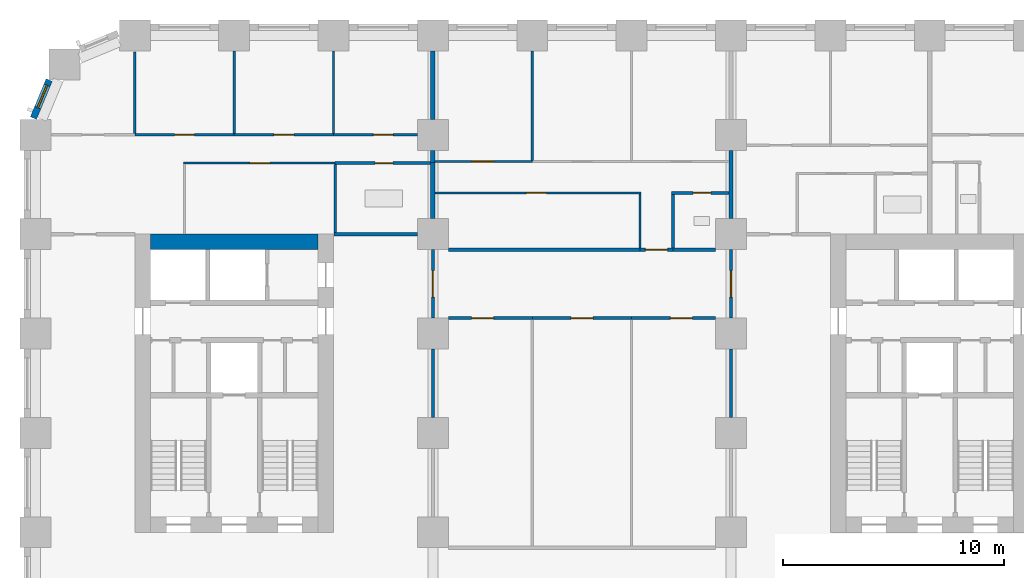
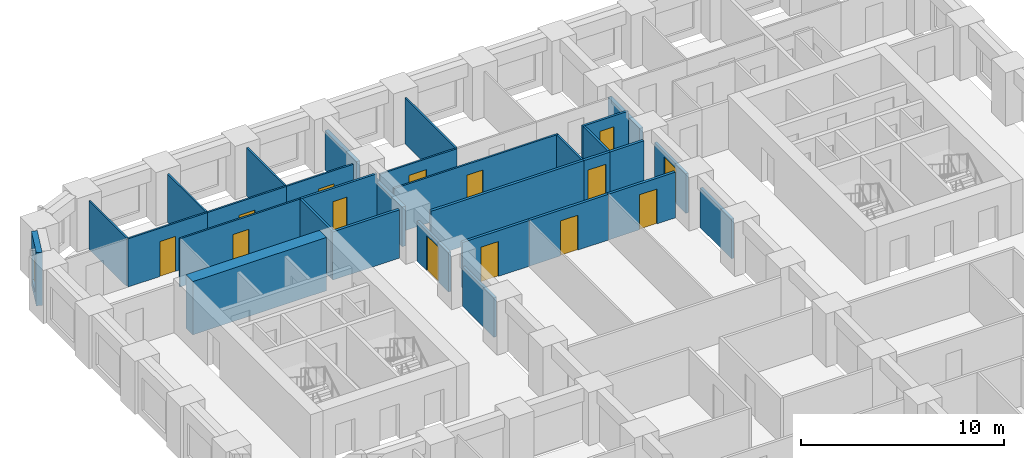
# One storey, part 7 of 13: 32 walls, 14 doors, 1 window, 15 openings.
"""IFC4 building model written with IfcOpenShell, lengths in metres."""

from ifc_helpers import new_model, si_unit, direction, frame, frame_2d, origin, place, context, subcontext, project, spatial, rectangle, extrude, material, layer, layer_set, type_object, element, fill, save


model = new_model("IFC4")

# Units and contexts
model_context = context("Model", 3, precision=1e-05, world=origin(), true_north=direction((0.0, 1.0)))
body_context = subcontext(model_context, "Body", "Model", "MODEL_VIEW")
ifc_project = project(units=[si_unit("LENGTHUNIT", "METRE"), si_unit("AREAUNIT", "SQUARE_METRE"), si_unit("VOLUMEUNIT", "CUBIC_METRE"), si_unit("PLANEANGLEUNIT", "RADIAN"), si_unit("MASSUNIT", "GRAM", prefix="KILO")], contexts=[model_context])

# Site, building, storey
site_placement = place(None, origin())
site = spatial("IfcSite", under=ifc_project, at=site_placement, CompositionType="ELEMENT")
building_placement = place(site_placement, origin())
building = spatial("IfcBuilding", under=site, at=building_placement, Name="Girih Gate Residences", CompositionType="ELEMENT")
storey_placement = place(building_placement, frame((0.0, 0.0, 43.199951171875)))
storey = spatial("IfcBuildingStorey", under=building, at=storey_placement, Name="L10", CompositionType="ELEMENT", Elevation=43.199951171875)

# Walls
ifc_material_1 = material(Name="Gypsum board on steel studs", Category="steel")
ifc_layer_1 = layer(ifc_material_1, 0.14990234375)
ifc_layer_set_1 = layer_set([ifc_layer_1], Name="Compartment wall 150 mm")
wall_type_1 = type_object("IfcWallType", Name="Compartment wall 150 mm", PredefinedType="PARTITIONING", material=ifc_layer_set_1)
wall_1_placement = place(storey_placement, frame((13.5107421875, 40.5, 0.0), z_axis=(0.0, 0.0, 1.0), x_axis=(1.0, 0.0, 0.0)))
element("IfcWall", 1, at=wall_1_placement, inside=storey, type_object=wall_type_1, Name="L10 partition", PredefinedType="PARTITIONING", context=body_context, shape_type="SweptSolid", body=[
    extrude(rectangle(XDim=3.789306640625, YDim=0.14990234375, at=frame_2d((1.89453125, 0.0))), origin(), (0.0, 0.0, 1.0), 2.900146484375),
])
wall_2_placement = place(storey_placement, frame((28.875, 39.800048828125, 0.0), z_axis=(0.0, 0.0, 1.0), x_axis=(1.0, 0.0, 0.0)))
element("IfcWall", 2, at=wall_2_placement, inside=storey, type_object=wall_type_1, Name="L10 partition", PredefinedType="PARTITIONING", context=body_context, shape_type="SweptSolid", body=[
    extrude(rectangle(XDim=1.925048828125, YDim=0.14990234375, at=frame_2d((0.96240234375, 0.0))), origin(), (0.0, 0.0, 1.0), 2.75),
])

# Wall, opening, door
wall_3_placement = place(storey_placement, frame((27.375, 39.800048828125, 0.0), z_axis=(0.0, 0.0, 1.0), x_axis=(1.0, 0.0, 0.0)))
wall_3 = element("IfcWall", 3, at=wall_3_placement, inside=storey, type_object=wall_type_1, Name="L10 partition", PredefinedType="PARTITIONING", context=body_context, shape_type="SweptSolid", body=[
    extrude(rectangle(XDim=1.5, YDim=0.14990234375, at=frame_2d((0.75, 0.0))), origin(), (0.0, 0.0, 1.0), 2.75),
])
opening_1_placement = place(wall_3_placement, frame((0.25, 0.0, 0.0)))
opening_1 = element("IfcOpeningElement", 4, at=opening_1_placement, cuts=wall_3, Name="Opening A10-043", PredefinedType="OPENING", context=body_context, shape_type="SweptSolid", body=[
    extrude(rectangle(XDim=1.0, YDim=2.10009765625, at=frame_2d((0.5, 1.050048828125))), frame((0.0, 0.0849609375, 0.0), z_axis=(0.0, -1.0, 0.0), x_axis=(1.0, 0.0, 0.0)), (0.0, 0.0, 1.0), 0.169921875),
])
ifc_material_2 = material(Name="Timber, fire-rated core", Category="wood")
door_type_1 = type_object("IfcDoorType", Name="Flat entrance door 1000x2100 FD30S", OperationType="NOTDEFINED", PredefinedType="DOOR", material=ifc_material_2)
door_1_placement = place(opening_1_placement, origin())
door_1 = element("IfcDoor", 5, at=door_1_placement, inside=storey, type_object=door_type_1, Name="Door A10-043", OperationType="SINGLE_SWING_RIGHT", OverallHeight=2.10009765625, OverallWidth=1.0, PredefinedType="DOOR", context=body_context, shape_type="SweptSolid", body=[
    extrude(rectangle(XDim=1.0, YDim=2.10009765625, at=frame_2d((0.5, 1.050048828125))), frame((0.0, 0.02490234375, 0.0), z_axis=(0.0, -1.0, 0.0), x_axis=(1.0, 0.0, 0.0)), (0.0, 0.0, 1.0), 0.050048828125),
])
fill(opening_1, door_1)

# Wall
wall_4_placement = place(storey_placement, frame((18.699951171875, 39.800048828125, 0.0), z_axis=(0.0, 0.0, 1.0), x_axis=(1.0, 0.0, 0.0)))
element("IfcWall", 6, at=wall_4_placement, inside=storey, type_object=wall_type_1, Name="L10 partition", PredefinedType="PARTITIONING", context=body_context, shape_type="SweptSolid", body=[
    extrude(rectangle(XDim=8.675048828125, YDim=0.14990234375, at=frame_2d((4.33740234375, 0.0))), origin(), (0.0, 0.0, 1.0), 2.75),
])

# Wall, opening, door
wall_5_placement = place(storey_placement, frame((22.5, 36.699951171875, 0.0), z_axis=(0.0, 0.0, 1.0), x_axis=(-1.0, 0.0, 0.0)))
wall_5 = element("IfcWall", 7, at=wall_5_placement, inside=storey, type_object=wall_type_1, Name="L10 partition", PredefinedType="PARTITIONING", context=body_context, shape_type="SweptSolid", body=[
    extrude(rectangle(XDim=3.800048828125, YDim=0.14990234375, at=frame_2d((1.89990234375, 0.0))), origin(), (0.0, 0.0, 1.0), 2.75),
])
opening_2_placement = place(wall_5_placement, frame((1.75, 0.0, 0.0)))
opening_2 = element("IfcOpeningElement", 8, at=opening_2_placement, cuts=wall_5, Name="Opening A10-044", PredefinedType="OPENING", context=body_context, shape_type="SweptSolid", body=[
    extrude(rectangle(XDim=1.0, YDim=2.10009765625, at=frame_2d((0.5, 1.050048828125))), frame((0.0, 0.0849609375, 0.0), z_axis=(0.0, -1.0, 0.0), x_axis=(1.0, 0.0, 0.0)), (0.0, 0.0, 1.0), 0.169921875),
])
door_type_2 = type_object("IfcDoorType", Name="Amenity room door 1000x2100 FD30S", OperationType="NOTDEFINED", PredefinedType="DOOR", material=ifc_material_2)
door_2_placement = place(opening_2_placement, origin())
door_2 = element("IfcDoor", 9, at=door_2_placement, inside=storey, type_object=door_type_2, Name="Door A10-044", OperationType="SINGLE_SWING_RIGHT", OverallHeight=2.10009765625, OverallWidth=1.0, PredefinedType="DOOR", context=body_context, shape_type="SweptSolid", body=[
    extrude(rectangle(XDim=1.0, YDim=2.10009765625, at=frame_2d((0.5, 1.050048828125))), frame((0.0, 0.02490234375, 0.0), z_axis=(0.0, -1.0, 0.0), x_axis=(1.0, 0.0, 0.0)), (0.0, 0.0, 1.0), 0.050048828125),
])
fill(opening_2, door_2)

wall_6_placement = place(storey_placement, frame((27.0, 36.699951171875, 0.0), z_axis=(0.0, 0.0, 1.0), x_axis=(-1.0, 0.0, 0.0)))
wall_6 = element("IfcWall", 10, at=wall_6_placement, inside=storey, type_object=wall_type_1, Name="L10 partition", PredefinedType="PARTITIONING", context=body_context, shape_type="SweptSolid", body=[
    extrude(rectangle(XDim=4.5, YDim=0.14990234375, at=frame_2d((2.25, 0.0))), origin(), (0.0, 0.0, 1.0), 2.75),
])
opening_3_placement = place(wall_6_placement, frame((1.75, 0.0, 0.0)))
opening_3 = element("IfcOpeningElement", 11, at=opening_3_placement, cuts=wall_6, Name="Opening A10-045", PredefinedType="OPENING", context=body_context, shape_type="SweptSolid", body=[
    extrude(rectangle(XDim=1.0, YDim=2.10009765625, at=frame_2d((0.5, 1.050048828125))), frame((0.0, 0.0849609375, 0.0), z_axis=(0.0, -1.0, 0.0), x_axis=(1.0, 0.0, 0.0)), (0.0, 0.0, 1.0), 0.169921875),
])
door_3_placement = place(opening_3_placement, origin())
door_3 = element("IfcDoor", 12, at=door_3_placement, inside=storey, type_object=door_type_2, Name="Door A10-045", OperationType="SINGLE_SWING_RIGHT", OverallHeight=2.10009765625, OverallWidth=1.0, PredefinedType="DOOR", context=body_context, shape_type="SweptSolid", body=[
    extrude(rectangle(XDim=1.0, YDim=2.10009765625, at=frame_2d((0.5, 1.050048828125))), frame((0.0, 0.02490234375, 0.0), z_axis=(0.0, -1.0, 0.0), x_axis=(1.0, 0.0, 0.0)), (0.0, 0.0, 1.0), 0.050048828125),
])
fill(opening_3, door_3)

wall_7_placement = place(storey_placement, frame((30.800048828125, 36.699951171875, 0.0), z_axis=(0.0, 0.0, 1.0), x_axis=(-1.0, 0.0, 0.0)))
wall_7 = element("IfcWall", 13, at=wall_7_placement, inside=storey, type_object=wall_type_1, Name="L10 partition", PredefinedType="PARTITIONING", context=body_context, shape_type="SweptSolid", body=[
    extrude(rectangle(XDim=3.800048828125, YDim=0.14990234375, at=frame_2d((1.89990234375, 0.0))), origin(), (0.0, 0.0, 1.0), 2.75),
])
opening_4_placement = place(wall_7_placement, frame((1.050048828125, 0.0, 0.0)))
opening_4 = element("IfcOpeningElement", 14, at=opening_4_placement, cuts=wall_7, Name="Opening A10-046", PredefinedType="OPENING", context=body_context, shape_type="SweptSolid", body=[
    extrude(rectangle(XDim=1.0, YDim=2.10009765625, at=frame_2d((0.5, 1.050048828125))), frame((0.0, 0.0849609375, 0.0), z_axis=(0.0, -1.0, 0.0), x_axis=(1.0, 0.0, 0.0)), (0.0, 0.0, 1.0), 0.169921875),
])
door_4_placement = place(opening_4_placement, origin())
door_4 = element("IfcDoor", 15, at=door_4_placement, inside=storey, type_object=door_type_2, Name="Door A10-046", OperationType="SINGLE_SWING_LEFT", OverallHeight=2.10009765625, OverallWidth=1.0, PredefinedType="DOOR", context=body_context, shape_type="SweptSolid", body=[
    extrude(rectangle(XDim=1.0, YDim=2.10009765625, at=frame_2d((0.5, 1.050048828125))), frame((0.0, 0.02490234375, 0.0), z_axis=(0.0, -1.0, 0.0), x_axis=(1.0, 0.0, 0.0)), (0.0, 0.0, 1.0), 0.050048828125),
])
fill(opening_4, door_4)

wall_8_placement = place(storey_placement, frame((31.5, 36.699951171875, 0.0), z_axis=(0.0, 0.0, 1.0), x_axis=(0.0, 1.0, 0.0)))
wall_8 = element("IfcWall", 16, at=wall_8_placement, inside=storey, type_object=wall_type_1, Name="L10 partition", PredefinedType="PARTITIONING", context=body_context, shape_type="SweptSolid", body=[
    extrude(rectangle(XDim=3.10009765625, YDim=0.14990234375, at=frame_2d((1.550048828125, 0.0))), origin(), (0.0, 0.0, 1.0), 2.380126953125),
])
opening_5_placement = place(wall_8_placement, frame((0.949951171875, 0.0, 0.0)))
opening_5 = element("IfcOpeningElement", 17, at=opening_5_placement, cuts=wall_8, Name="Opening A10-047", PredefinedType="OPENING", context=body_context, shape_type="SweptSolid", body=[
    extrude(rectangle(XDim=1.199951171875, YDim=2.10009765625, at=frame_2d((0.60009765625, 1.050048828125))), frame((0.0, 0.0849609375, 0.0), z_axis=(0.0, -1.0, 0.0), x_axis=(1.0, 0.0, 0.0)), (0.0, 0.0, 1.0), 0.169921875),
])
door_type_3 = type_object("IfcDoorType", Name="Corridor fire door 1200x2100 FD30S", OperationType="NOTDEFINED", PredefinedType="DOOR", material=ifc_material_2)
door_5_placement = place(opening_5_placement, origin())
door_5 = element("IfcDoor", 18, at=door_5_placement, inside=storey, type_object=door_type_3, Name="Door A10-047", OperationType="SINGLE_SWING_LEFT", OverallHeight=2.10009765625, OverallWidth=1.199951171875, PredefinedType="DOOR", context=body_context, shape_type="SweptSolid", body=[
    extrude(rectangle(XDim=1.199951171875, YDim=2.10009765625, at=frame_2d((0.60009765625, 1.050048828125))), frame((0.0, 0.02490234375, 0.0), z_axis=(0.0, -1.0, 0.0), x_axis=(1.0, 0.0, 0.0)), (0.0, 0.0, 1.0), 0.050048828125),
])
fill(opening_5, door_5)

wall_9_placement = place(storey_placement, frame((18.0, 39.800048828125, 0.0), z_axis=(0.0, 0.0, 1.0), x_axis=(0.0, -1.0, 0.0)))
wall_9 = element("IfcWall", 19, at=wall_9_placement, inside=storey, type_object=wall_type_1, Name="L10 partition", PredefinedType="PARTITIONING", context=body_context, shape_type="SweptSolid", body=[
    extrude(rectangle(XDim=3.10009765625, YDim=0.14990234375, at=frame_2d((1.550048828125, 0.0))), origin(), (0.0, 0.0, 1.0), 2.380126953125),
])
opening_6_placement = place(wall_9_placement, frame((0.949951171875, 0.0, 0.0)))
opening_6 = element("IfcOpeningElement", 20, at=opening_6_placement, cuts=wall_9, Name="Opening A10-048", PredefinedType="OPENING", context=body_context, shape_type="SweptSolid", body=[
    extrude(rectangle(XDim=1.199951171875, YDim=2.10009765625, at=frame_2d((0.60009765625, 1.050048828125))), frame((0.0, 0.0849609375, 0.0), z_axis=(0.0, -1.0, 0.0), x_axis=(1.0, 0.0, 0.0)), (0.0, 0.0, 1.0), 0.169921875),
])
door_6_placement = place(opening_6_placement, origin())
door_6 = element("IfcDoor", 21, at=door_6_placement, inside=storey, type_object=door_type_3, Name="Door A10-048", OperationType="SINGLE_SWING_LEFT", OverallHeight=2.10009765625, OverallWidth=1.199951171875, PredefinedType="DOOR", context=body_context, shape_type="SweptSolid", body=[
    extrude(rectangle(XDim=1.199951171875, YDim=2.10009765625, at=frame_2d((0.60009765625, 1.050048828125))), frame((0.0, 0.02490234375, 0.0), z_axis=(0.0, -1.0, 0.0), x_axis=(1.0, 0.0, 0.0)), (0.0, 0.0, 1.0), 0.050048828125),
])
fill(opening_6, door_6)

# Walls
for number, where, z_axis, x_axis, name in (
    (22, (18.0, 32.199951171875, 0.0), (0.0, 0.0, 1.0), (0.0, 1.0, 0.0), "L10 partition"),
    (23, (31.5, 32.199951171875, 0.0), (0.0, 0.0, 1.0), (0.0, 1.0, 0.0), "L10 partition"),
):
    element("IfcWall", number, at=place(storey_placement, frame(where, z_axis=z_axis, x_axis=x_axis)), inside=storey, type_object=wall_type_1, Name=name, PredefinedType="PARTITIONING", context=body_context, shape_type="SweptSolid", body=[
        extrude(rectangle(XDim=3.10009765625, YDim=0.14990234375, at=frame_2d((1.550048828125, 0.0))), origin(), (0.0, 0.0, 1.0), 2.380126953125),
    ])
ifc_material_3 = material(Name="Concrete C60/75", Category="concrete")
ifc_layer_2 = layer(ifc_material_3, 0.699951171875)
ifc_layer_set_2 = layer_set([ifc_layer_2], Name="Core wall RC 700 Concrete C60/75")
wall_type_2 = type_object("IfcWallType", Name="Core wall RC 700 Concrete C60/75", PredefinedType="SOLIDWALL", material=ifc_layer_set_2)
wall_10_placement = place(storey_placement, frame((5.199951171875, 40.14990234375, 0.0), z_axis=(0.0, 0.0, 1.0), x_axis=(1.0, 0.0, 0.0)))
element("IfcWall", 24, at=wall_10_placement, inside=storey, type_object=wall_type_2, Name="Core wall W-N L10", PredefinedType="SOLIDWALL", context=body_context, shape_type="SweptSolid", body=[
    extrude(rectangle(XDim=7.60009765625, YDim=0.699951171875, at=frame_2d((3.800048828125, 0.0))), origin(), (0.0, 0.0, 1.0), 3.199951171875),
])
ifc_layer_3 = layer(ifc_material_1, 0.10009765625)
ifc_layer_set_3 = layer_set([ifc_layer_3], Name="Partition 100 mm")
wall_type_3 = type_object("IfcWallType", Name="Partition 100 mm", PredefinedType="PARTITIONING", material=ifc_layer_set_3)
wall_11_placement = place(storey_placement, frame((9.0, 45.050048828125, 0.0), z_axis=(0.0, 0.0, 1.0), x_axis=(0.0, 1.0, 0.0)))
element("IfcWall", 25, at=wall_11_placement, inside=storey, type_object=wall_type_3, Name="L10 partition", PredefinedType="PARTITIONING", context=body_context, shape_type="SweptSolid", body=[
    extrude(rectangle(XDim=3.75, YDim=0.10009765625, at=frame_2d((1.875, 0.0))), origin(), (0.0, 0.0, 1.0), 2.900146484375),
])

# Wall, opening, door
wall_12_placement = place(storey_placement, frame((4.5, 45.0, 0.0), z_axis=(0.0, 0.0, 1.0), x_axis=(1.0, 0.0, 0.0)))
wall_12 = element("IfcWall", 26, at=wall_12_placement, inside=storey, type_object=wall_type_3, Name="L10 partition", PredefinedType="PARTITIONING", context=body_context, shape_type="SweptSolid", body=[
    extrude(rectangle(XDim=4.5, YDim=0.10009765625, at=frame_2d((2.25, 0.0))), origin(), (0.0, 0.0, 1.0), 2.900146484375),
])
opening_7_placement = place(wall_12_placement, frame((1.800048828125, 0.0, 0.0)))
opening_7 = element("IfcOpeningElement", 27, at=opening_7_placement, cuts=wall_12, Name="Opening A10-012", PredefinedType="OPENING", context=body_context, shape_type="SweptSolid", body=[
    extrude(rectangle(XDim=0.89990234375, YDim=2.10009765625, at=frame_2d((0.449951171875, 1.050048828125))), frame((0.0, 0.06005859375, 0.0), z_axis=(0.0, -1.0, 0.0), x_axis=(1.0, 0.0, 0.0)), (0.0, 0.0, 1.0), 0.1201171875),
])
ifc_material_4 = material(Name="Timber", Category="wood")
door_type_4 = type_object("IfcDoorType", Name="Bedroom door 900x2100", OperationType="NOTDEFINED", PredefinedType="DOOR", material=ifc_material_4)
door_7_placement = place(opening_7_placement, origin())
door_7 = element("IfcDoor", 28, at=door_7_placement, inside=storey, type_object=door_type_4, Name="Door A10-012", OperationType="SINGLE_SWING_RIGHT", OverallHeight=2.10009765625, OverallWidth=0.89990234375, PredefinedType="DOOR", context=body_context, shape_type="SweptSolid", body=[
    extrude(rectangle(XDim=0.89990234375, YDim=2.10009765625, at=frame_2d((0.449951171875, 1.050048828125))), frame((0.0, 0.02490234375, 0.0), z_axis=(0.0, -1.0, 0.0), x_axis=(1.0, 0.0, 0.0)), (0.0, 0.0, 1.0), 0.050048828125),
])
fill(opening_7, door_7)

# Walls
wall_13_placement = place(storey_placement, frame((4.5, 45.050048828125, 0.0), z_axis=(0.0, 0.0, 1.0), x_axis=(0.0, 1.0, 0.0)))
element("IfcWall", 29, at=wall_13_placement, inside=storey, type_object=wall_type_3, Name="L10 partition", PredefinedType="PARTITIONING", context=body_context, shape_type="SweptSolid", body=[
    extrude(rectangle(XDim=3.6923828125, YDim=0.10009765625, at=frame_2d((1.84619140625, 0.0))), origin(), (0.0, 0.0, 1.0), 2.900146484375),
])
wall_14_placement = place(storey_placement, frame((13.5, 45.050048828125, 0.0), z_axis=(0.0, 0.0, 1.0), x_axis=(0.0, 1.0, 0.0)))
element("IfcWall", 30, at=wall_14_placement, inside=storey, type_object=wall_type_3, Name="L10 partition", PredefinedType="PARTITIONING", context=body_context, shape_type="SweptSolid", body=[
    extrude(rectangle(XDim=3.75, YDim=0.10009765625, at=frame_2d((1.875, 0.0))), origin(), (0.0, 0.0, 1.0), 2.900146484375),
])

# Wall, opening, door
wall_15_placement = place(storey_placement, frame((9.0, 45.0, 0.0), z_axis=(0.0, 0.0, 1.0), x_axis=(1.0, 0.0, 0.0)))
wall_15 = element("IfcWall", 31, at=wall_15_placement, inside=storey, type_object=wall_type_3, Name="L10 partition", PredefinedType="PARTITIONING", context=body_context, shape_type="SweptSolid", body=[
    extrude(rectangle(XDim=4.5, YDim=0.10009765625, at=frame_2d((2.25, 0.0))), origin(), (0.0, 0.0, 1.0), 2.900146484375),
])
opening_8_placement = place(wall_15_placement, frame((1.800048828125, 0.0, 0.0)))
opening_8 = element("IfcOpeningElement", 32, at=opening_8_placement, cuts=wall_15, Name="Opening A10-013", PredefinedType="OPENING", context=body_context, shape_type="SweptSolid", body=[
    extrude(rectangle(XDim=0.89990234375, YDim=2.10009765625, at=frame_2d((0.449951171875, 1.050048828125))), frame((0.0, 0.06005859375, 0.0), z_axis=(0.0, -1.0, 0.0), x_axis=(1.0, 0.0, 0.0)), (0.0, 0.0, 1.0), 0.1201171875),
])
door_8_placement = place(opening_8_placement, origin())
door_8 = element("IfcDoor", 33, at=door_8_placement, inside=storey, type_object=door_type_4, Name="Door A10-013", OperationType="SINGLE_SWING_LEFT", OverallHeight=2.10009765625, OverallWidth=0.89990234375, PredefinedType="DOOR", context=body_context, shape_type="SweptSolid", body=[
    extrude(rectangle(XDim=0.89990234375, YDim=2.10009765625, at=frame_2d((0.449951171875, 1.050048828125))), frame((0.0, 0.02490234375, 0.0), z_axis=(0.0, -1.0, 0.0), x_axis=(1.0, 0.0, 0.0)), (0.0, 0.0, 1.0), 0.050048828125),
])
fill(opening_8, door_8)

wall_16_placement = place(storey_placement, frame((13.5, 45.0, 0.0), z_axis=(0.0, 0.0, 1.0), x_axis=(1.0, 0.0, 0.0)))
wall_16 = element("IfcWall", 34, at=wall_16_placement, inside=storey, type_object=wall_type_3, Name="L10 partition", PredefinedType="PARTITIONING", context=body_context, shape_type="SweptSolid", body=[
    extrude(rectangle(XDim=3.800048828125, YDim=0.10009765625, at=frame_2d((1.89990234375, 0.0))), origin(), (0.0, 0.0, 1.0), 2.900146484375),
])
opening_9_placement = place(wall_16_placement, frame((1.800048828125, 0.0, 0.0)))
opening_9 = element("IfcOpeningElement", 35, at=opening_9_placement, cuts=wall_16, Name="Opening A10-014", PredefinedType="OPENING", context=body_context, shape_type="SweptSolid", body=[
    extrude(rectangle(XDim=0.89990234375, YDim=2.10009765625, at=frame_2d((0.449951171875, 1.050048828125))), frame((0.0, 0.06005859375, 0.0), z_axis=(0.0, -1.0, 0.0), x_axis=(1.0, 0.0, 0.0)), (0.0, 0.0, 1.0), 0.1201171875),
])
door_9_placement = place(opening_9_placement, origin())
door_9 = element("IfcDoor", 36, at=door_9_placement, inside=storey, type_object=door_type_4, Name="Door A10-014", OperationType="SINGLE_SWING_RIGHT", OverallHeight=2.10009765625, OverallWidth=0.89990234375, PredefinedType="DOOR", context=body_context, shape_type="SweptSolid", body=[
    extrude(rectangle(XDim=0.89990234375, YDim=2.10009765625, at=frame_2d((0.449951171875, 1.050048828125))), frame((0.0, 0.02490234375, 0.0), z_axis=(0.0, -1.0, 0.0), x_axis=(1.0, 0.0, 0.0)), (0.0, 0.0, 1.0), 0.050048828125),
])
fill(opening_9, door_9)

wall_17_placement = place(storey_placement, frame((13.5732421875, 43.719970703125, 0.0), z_axis=(0.0, 0.0, 1.0), x_axis=(-1.0, 0.0, 0.0)))
wall_17 = element("IfcWall", 37, at=wall_17_placement, inside=storey, type_object=wall_type_3, Name="L10 partition", PredefinedType="PARTITIONING", context=body_context, shape_type="SweptSolid", body=[
    extrude(rectangle(XDim=6.873291015625, YDim=0.10009765625, at=frame_2d((3.4365234375, 0.0))), origin(), (0.0, 0.0, 1.0), 2.900146484375),
])
opening_10_placement = place(wall_17_placement, frame((2.961669921875, 0.0, 0.0)))
opening_10 = element("IfcOpeningElement", 38, at=opening_10_placement, cuts=wall_17, Name="Opening A10-015", PredefinedType="OPENING", context=body_context, shape_type="SweptSolid", body=[
    extrude(rectangle(XDim=0.89990234375, YDim=2.10009765625, at=frame_2d((0.449951171875, 1.050048828125))), frame((0.0, 0.06005859375, 0.0), z_axis=(0.0, -1.0, 0.0), x_axis=(1.0, 0.0, 0.0)), (0.0, 0.0, 1.0), 0.1201171875),
])
door_type_5 = type_object("IfcDoorType", Name="Kitchen door 900x2100", OperationType="NOTDEFINED", PredefinedType="DOOR", material=ifc_material_4)
door_10_placement = place(opening_10_placement, origin())
door_10 = element("IfcDoor", 39, at=door_10_placement, inside=storey, type_object=door_type_5, Name="Door A10-015", OperationType="SINGLE_SWING_LEFT", OverallHeight=2.10009765625, OverallWidth=0.89990234375, PredefinedType="DOOR", context=body_context, shape_type="SweptSolid", body=[
    extrude(rectangle(XDim=0.89990234375, YDim=2.10009765625, at=frame_2d((0.449951171875, 1.050048828125))), frame((0.0, 0.02490234375, 0.0), z_axis=(0.0, -1.0, 0.0), x_axis=(1.0, 0.0, 0.0)), (0.0, 0.0, 1.0), 0.050048828125),
])
fill(opening_10, door_10)

# Walls
wall_18_placement = place(storey_placement, frame((22.5, 43.840087890625, 0.0), z_axis=(0.0, 0.0, 1.0), x_axis=(0.0, 1.0, 0.0)))
element("IfcWall", 40, at=wall_18_placement, inside=storey, type_object=wall_type_3, Name="L10 partition", PredefinedType="PARTITIONING", context=body_context, shape_type="SweptSolid", body=[
    extrude(rectangle(XDim=4.9599609375, YDim=0.10009765625, at=frame_2d((2.47998046875, 0.0))), origin(), (0.0, 0.0, 1.0), 2.75),
])
wall_19_placement = place(storey_placement, frame((27.375, 39.875, 0.0), z_axis=(0.0, 0.0, 1.0), x_axis=(0.0, 1.0, 0.0)))
element("IfcWall", 41, at=wall_19_placement, inside=storey, type_object=wall_type_3, Name="L10 partition", PredefinedType="PARTITIONING", context=body_context, shape_type="SweptSolid", body=[
    extrude(rectangle(XDim=2.445068359375, YDim=0.10009765625, at=frame_2d((1.22265625, 0.0))), origin(), (0.0, 0.0, 1.0), 2.75),
])

# Wall, opening, door
wall_20_placement = place(storey_placement, frame((27.425048828125, 42.3701171875, 0.0), z_axis=(0.0, 0.0, 1.0), x_axis=(-1.0, 0.0, 0.0)))
wall_20 = element("IfcWall", 42, at=wall_20_placement, inside=storey, type_object=wall_type_3, Name="L10 partition", PredefinedType="PARTITIONING", context=body_context, shape_type="SweptSolid", body=[
    extrude(rectangle(XDim=9.324951171875, YDim=0.10009765625, at=frame_2d((4.66259765625, 0.0))), origin(), (0.0, 0.0, 1.0), 2.75),
])
opening_11_placement = place(wall_20_placement, frame((4.28759765625, 0.0, 0.0)))
opening_11 = element("IfcOpeningElement", 43, at=opening_11_placement, cuts=wall_20, Name="Opening A10-041", PredefinedType="OPENING", context=body_context, shape_type="SweptSolid", body=[
    extrude(rectangle(XDim=0.89990234375, YDim=2.10009765625, at=frame_2d((0.449951171875, 1.050048828125))), frame((0.0, 0.06005859375, 0.0), z_axis=(0.0, -1.0, 0.0), x_axis=(1.0, 0.0, 0.0)), (0.0, 0.0, 1.0), 0.1201171875),
])
door_11_placement = place(opening_11_placement, origin())
door_11 = element("IfcDoor", 44, at=door_11_placement, inside=storey, type_object=door_type_5, Name="Door A10-041", OperationType="SINGLE_SWING_RIGHT", OverallHeight=2.10009765625, OverallWidth=0.89990234375, PredefinedType="DOOR", context=body_context, shape_type="SweptSolid", body=[
    extrude(rectangle(XDim=0.89990234375, YDim=2.10009765625, at=frame_2d((0.449951171875, 1.050048828125))), frame((0.0, 0.02490234375, 0.0), z_axis=(0.0, -1.0, 0.0), x_axis=(1.0, 0.0, 0.0)), (0.0, 0.0, 1.0), 0.050048828125),
])
fill(opening_11, door_11)

wall_21_placement = place(storey_placement, frame((18.10009765625, 43.7900390625, 0.0), z_axis=(0.0, 0.0, 1.0), x_axis=(1.0, 0.0, 0.0)))
wall_21 = element("IfcWall", 45, at=wall_21_placement, inside=storey, type_object=wall_type_3, Name="L10 partition", PredefinedType="PARTITIONING", context=body_context, shape_type="SweptSolid", body=[
    extrude(rectangle(XDim=4.39990234375, YDim=0.10009765625, at=frame_2d((2.199951171875, 0.0))), origin(), (0.0, 0.0, 1.0), 2.75),
])
opening_12_placement = place(wall_21_placement, frame((1.64990234375, 0.0, 0.0)))
opening_12 = element("IfcOpeningElement", 46, at=opening_12_placement, cuts=wall_21, Name="Opening A10-042", PredefinedType="OPENING", context=body_context, shape_type="SweptSolid", body=[
    extrude(rectangle(XDim=1.0, YDim=2.10009765625, at=frame_2d((0.5, 1.050048828125))), frame((0.0, 0.06005859375, 0.0), z_axis=(0.0, -1.0, 0.0), x_axis=(1.0, 0.0, 0.0)), (0.0, 0.0, 1.0), 0.1201171875),
])
door_type_6 = type_object("IfcDoorType", Name="Living room door 1000x2100", OperationType="NOTDEFINED", PredefinedType="DOOR", material=ifc_material_4)
door_12_placement = place(opening_12_placement, origin())
door_12 = element("IfcDoor", 47, at=door_12_placement, inside=storey, type_object=door_type_6, Name="Door A10-042", OperationType="SINGLE_SWING_LEFT", OverallHeight=2.10009765625, OverallWidth=1.0, PredefinedType="DOOR", context=body_context, shape_type="SweptSolid", body=[
    extrude(rectangle(XDim=1.0, YDim=2.10009765625, at=frame_2d((0.5, 1.050048828125))), frame((0.0, 0.02490234375, 0.0), z_axis=(0.0, -1.0, 0.0), x_axis=(1.0, 0.0, 0.0)), (0.0, 0.0, 1.0), 0.050048828125),
])
fill(opening_12, door_12)

# Walls
ifc_layer_4 = layer(ifc_material_1, 0.199951171875)
ifc_layer_set_4 = layer_set([ifc_layer_4], Name="Party wall 200 mm")
wall_type_4 = type_object("IfcWallType", Name="Party wall 200 mm", PredefinedType="PARTITIONING", material=ifc_layer_set_4)
wall_22_placement = place(storey_placement, frame((18.0, 41.199951171875, 0.0), z_axis=(0.0, 0.0, 1.0), x_axis=(0.0, 1.0, 0.0)))
element("IfcWall", 48, at=wall_22_placement, inside=storey, type_object=wall_type_4, Name="L10 partition", PredefinedType="PARTITIONING", context=body_context, shape_type="SweptSolid", body=[
    extrude(rectangle(XDim=2.58251953125, YDim=0.199951171875, at=frame_2d((1.291259765625, 0.0))), origin(), (0.0, 0.0, 1.0), 2.380126953125),
])
wall_23_placement = place(storey_placement, frame((18.0, 45.699951171875, 0.0), z_axis=(0.0, 0.0, 1.0), x_axis=(0.0, 1.0, 0.0)))
element("IfcWall", 49, at=wall_23_placement, inside=storey, type_object=wall_type_4, Name="L10 partition", PredefinedType="PARTITIONING", context=body_context, shape_type="SweptSolid", body=[
    extrude(rectangle(XDim=3.10009765625, YDim=0.199951171875, at=frame_2d((1.550048828125, 0.0))), origin(), (0.0, 0.0, 1.0), 2.380126953125),
])
wall_24_placement = place(storey_placement, frame((18.0, 43.739990234375, 0.0), z_axis=(0.0, 0.0, 1.0), x_axis=(0.0, 1.0, 0.0)))
element("IfcWall", 50, at=wall_24_placement, inside=storey, type_object=wall_type_4, Name="L10 partition", PredefinedType="PARTITIONING", context=body_context, shape_type="SweptSolid", body=[
    extrude(rectangle(XDim=0.56005859375, YDim=0.199951171875, at=frame_2d((0.280029296875, 0.0))), origin(), (0.0, 0.0, 1.0), 2.380126953125),
])
wall_25_placement = place(storey_placement, frame((31.5, 41.199951171875, 0.0), z_axis=(0.0, 0.0, 1.0), x_axis=(0.0, 1.0, 0.0)))
element("IfcWall", 51, at=wall_25_placement, inside=storey, type_object=wall_type_4, Name="L10 partition", PredefinedType="PARTITIONING", context=body_context, shape_type="SweptSolid", body=[
    extrude(rectangle(XDim=3.10009765625, YDim=0.199951171875, at=frame_2d((1.550048828125, 0.0))), origin(), (0.0, 0.0, 1.0), 2.380126953125),
])

# Wall, opening, window
ifc_material_5 = material(Name="Precast concrete C50/60", Category="concrete")
ifc_layer_5 = layer(ifc_material_5, 0.080078125, Name="Outer leaf")
ifc_material_6 = material(Name="Rigid PIR insulation")
ifc_layer_6 = layer(ifc_material_6, 0.14990234375, Name="Insulation")
ifc_material_7 = material(Name="Precast concrete C40/50", Category="concrete")
ifc_layer_7 = layer(ifc_material_7, 0.070068359375, Name="Inner leaf")
ifc_layer_set_5 = layer_set([ifc_layer_5, ifc_layer_6, ifc_layer_7], Name="Precast concrete C50/60 external wall 300")
wall_type_5 = type_object("IfcWallType", Name="Precast concrete C50/60 external wall 300", PredefinedType="SOLIDWALL", material=ifc_layer_set_5)
wall_26_placement = place(storey_placement, frame((-0.09228515625, 45.75732421875, 0.0), z_axis=(0.0, 0.0, 1.0), x_axis=(0.382737135771, 0.923857286003, 0.0)))
wall_26 = element("IfcWall", 52, at=wall_26_placement, inside=storey, type_object=wall_type_5, Name="External wall NW0013_0482.0", PredefinedType="SOLIDWALL", context=body_context, shape_type="SweptSolid", body=[
    extrude(rectangle(XDim=1.865234375, YDim=0.300048828125, at=frame_2d((0.9326171875, 0.0))), origin(), (0.0, 0.0, 1.0), 3.199951171875),
])
opening_13_placement = place(wall_26_placement, frame((0.507568359375, 0.0, 0.449951171875)))
opening_13 = element("IfcOpeningElement", 53, at=opening_13_placement, cuts=wall_26, Name="Opening W-2C", PredefinedType="OPENING", context=body_context, shape_type="SweptSolid", body=[
    extrude(rectangle(XDim=1.10009765625, YDim=1.949951171875, at=frame_2d((0.550048828125, 0.97509765625))), frame((0.0, 0.159912109375, 0.0), z_axis=(0.0, -1.0, 0.0), x_axis=(1.0, 0.0, 0.0)), (0.0, 0.0, 1.0), 0.320068359375),
])
ifc_material_8 = material(Name="Double glazing in aluminium frame", Category="aluminium")
window_type = type_object("IfcWindowType", Name="Window W-2C 1100x1950", PartitioningType="SINGLE_PANEL", PredefinedType="WINDOW", material=ifc_material_8)
window_placement = place(opening_13_placement, origin())
window = element("IfcWindow", 54, at=window_placement, inside=storey, type_object=window_type, Name="Window W-2C NW0013_0482.0", OverallHeight=1.949951171875, OverallWidth=1.10009765625, PartitioningType="SINGLE_PANEL", PredefinedType="WINDOW", context=body_context, shape_type="SweptSolid", body=[
    extrude(rectangle(XDim=1.10009765625, YDim=1.949951171875, at=frame_2d((0.550048828125, 0.97509765625))), frame((0.0, 0.030029296875, 0.0), z_axis=(0.0, -1.0, 0.0), x_axis=(1.0, 0.0, 0.0)), (0.0, 0.0, 1.0), 0.06005859375),
])
fill(opening_13, window)

# Wall, opening, door
ifc_layer_8 = layer(ifc_material_1, 0.125)
ifc_layer_set_6 = layer_set([ifc_layer_8], Name="Wet room wall 125 mm")
wall_type_6 = type_object("IfcWallType", Name="Wet room wall 125 mm", PredefinedType="PARTITIONING", material=ifc_layer_set_6)
wall_27_placement = place(storey_placement, frame((17.89990234375, 43.719970703125, 0.0), z_axis=(0.0, 0.0, 1.0), x_axis=(-1.0, 0.0, 0.0)))
wall_27 = element("IfcWall", 55, at=wall_27_placement, inside=storey, type_object=wall_type_6, Name="L10 partition", PredefinedType="PARTITIONING", context=body_context, shape_type="SweptSolid", body=[
    extrude(rectangle(XDim=4.32666015625, YDim=0.125, at=frame_2d((2.163330078125, 0.0))), origin(), (0.0, 0.0, 1.0), 2.900146484375),
])
opening_14_placement = place(wall_27_placement, frame((1.71337890625, 0.0, 0.0)))
opening_14 = element("IfcOpeningElement", 56, at=opening_14_placement, cuts=wall_27, Name="Opening A10-011", PredefinedType="OPENING", context=body_context, shape_type="SweptSolid", body=[
    extrude(rectangle(XDim=0.800048828125, YDim=2.10009765625, at=frame_2d((0.39990234375, 1.050048828125))), frame((0.0, 0.072509765625, 0.0), z_axis=(0.0, -1.0, 0.0), x_axis=(1.0, 0.0, 0.0)), (0.0, 0.0, 1.0), 0.14501953125),
])
door_type_7 = type_object("IfcDoorType", Name="Bathroom door 800x2100", OperationType="NOTDEFINED", PredefinedType="DOOR", material=ifc_material_4)
door_13_placement = place(opening_14_placement, origin())
door_13 = element("IfcDoor", 57, at=door_13_placement, inside=storey, type_object=door_type_7, Name="Door A10-011", OperationType="SINGLE_SWING_LEFT", OverallHeight=2.10009765625, OverallWidth=0.800048828125, PredefinedType="DOOR", context=body_context, shape_type="SweptSolid", body=[
    extrude(rectangle(XDim=0.800048828125, YDim=2.10009765625, at=frame_2d((0.39990234375, 1.050048828125))), frame((0.0, 0.02490234375, 0.0), z_axis=(0.0, -1.0, 0.0), x_axis=(1.0, 0.0, 0.0)), (0.0, 0.0, 1.0), 0.050048828125),
])
fill(opening_14, door_13)

# Walls
wall_28_placement = place(storey_placement, frame((13.572998046875, 40.574951171875, 0.0), z_axis=(0.0, 0.0, 1.0), x_axis=(0.0, 1.0, 0.0)))
element("IfcWall", 58, at=wall_28_placement, inside=storey, type_object=wall_type_6, Name="L10 partition", PredefinedType="PARTITIONING", context=body_context, shape_type="SweptSolid", body=[
    extrude(rectangle(XDim=3.08251953125, YDim=0.125, at=frame_2d((1.541259765625, 0.0))), origin(), (0.0, 0.0, 1.0), 2.900146484375),
])
wall_29_placement = place(storey_placement, frame((28.875, 39.875, 0.0), z_axis=(0.0, 0.0, 1.0), x_axis=(0.0, 1.0, 0.0)))
element("IfcWall", 59, at=wall_29_placement, inside=storey, type_object=wall_type_6, Name="L10 partition", PredefinedType="PARTITIONING", context=body_context, shape_type="SweptSolid", body=[
    extrude(rectangle(XDim=2.4326171875, YDim=0.125, at=frame_2d((1.21630859375, 0.0))), origin(), (0.0, 0.0, 1.0), 2.75),
])

# Wall, opening, door
wall_30_placement = place(storey_placement, frame((31.39990234375, 42.3701171875, 0.0), z_axis=(0.0, 0.0, 1.0), x_axis=(-1.0, 0.0, 0.0)))
wall_30 = element("IfcWall", 60, at=wall_30_placement, inside=storey, type_object=wall_type_6, Name="L10 partition", PredefinedType="PARTITIONING", context=body_context, shape_type="SweptSolid", body=[
    extrude(rectangle(XDim=2.58740234375, YDim=0.125, at=frame_2d((1.293701171875, 0.0))), origin(), (0.0, 0.0, 1.0), 2.75),
])
opening_15_placement = place(wall_30_placement, frame((0.8125, 0.0, 0.0)))
opening_15 = element("IfcOpeningElement", 61, at=opening_15_placement, cuts=wall_30, Name="Opening A10-038", PredefinedType="OPENING", context=body_context, shape_type="SweptSolid", body=[
    extrude(rectangle(XDim=0.800048828125, YDim=2.10009765625, at=frame_2d((0.39990234375, 1.050048828125))), frame((0.0, 0.072509765625, 0.0), z_axis=(0.0, -1.0, 0.0), x_axis=(1.0, 0.0, 0.0)), (0.0, 0.0, 1.0), 0.14501953125),
])
door_14_placement = place(opening_15_placement, origin())
door_14 = element("IfcDoor", 62, at=door_14_placement, inside=storey, type_object=door_type_7, Name="Door A10-038", OperationType="SINGLE_SWING_LEFT", OverallHeight=2.10009765625, OverallWidth=0.800048828125, PredefinedType="DOOR", context=body_context, shape_type="SweptSolid", body=[
    extrude(rectangle(XDim=0.800048828125, YDim=2.10009765625, at=frame_2d((0.39990234375, 1.050048828125))), frame((0.0, 0.02490234375, 0.0), z_axis=(0.0, -1.0, 0.0), x_axis=(1.0, 0.0, 0.0)), (0.0, 0.0, 1.0), 0.050048828125),
])
fill(opening_15, door_14)

save(model, "model.ifc")
